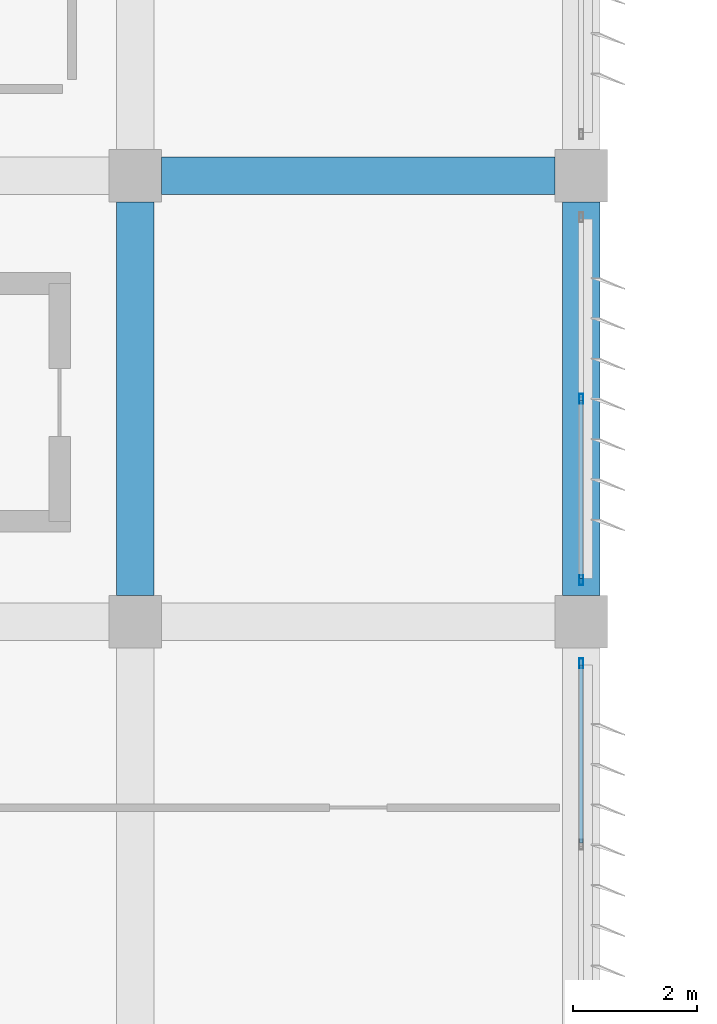
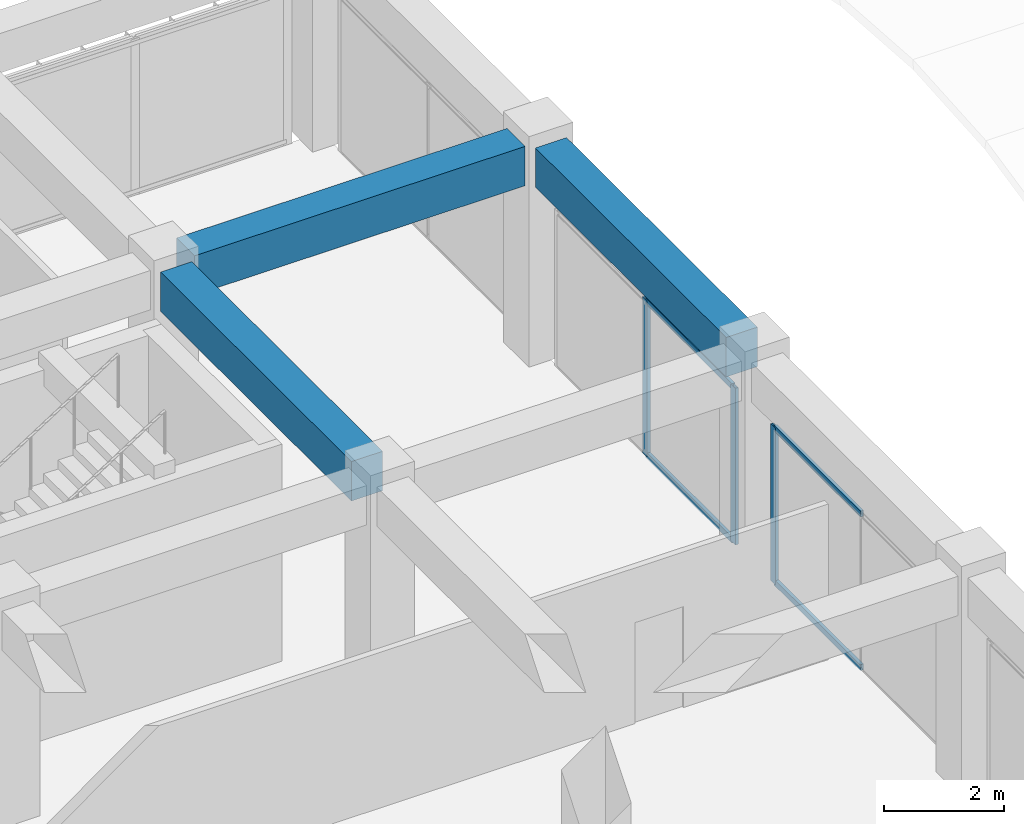
# One storey, part 19 of 55: 7 members, 3 beams, 2 elements without a shape of their own.
"""IFC4 building model written with IfcOpenShell, lengths in metres."""

from ifc_helpers import new_model, si_unit, direction, frame, origin, origin_2d, place, context, subcontext, project, spatial, rectangle, hollow_rectangle, extrude, material, material_profile, profile_set, type_object, element, aggregate, save


model = new_model("IFC4")

# Units and contexts
model_context = context("Model", 3, precision=1e-05, world=origin(), true_north=direction((0.0, 1.0)))
body_context = subcontext(model_context, "Body", "Model", "MODEL_VIEW")
ifc_project = project(units=[si_unit("LENGTHUNIT", "METRE"), si_unit("AREAUNIT", "SQUARE_METRE"), si_unit("VOLUMEUNIT", "CUBIC_METRE"), si_unit("PLANEANGLEUNIT", "RADIAN"), si_unit("MASSUNIT", "GRAM", prefix="KILO")], contexts=[model_context])

# Site, building, storey
site_placement = place(None, origin())
site = spatial("IfcSite", under=ifc_project, at=site_placement, CompositionType="ELEMENT")
building_placement = place(site_placement, origin())
building = spatial("IfcBuilding", under=site, at=building_placement, Name="Kazehaya Institute of Natural Sciences", CompositionType="ELEMENT")
storey_placement = place(building_placement, frame((0.0, 0.0, 15.1201171875)))
storey = spatial("IfcBuildingStorey", under=building, at=storey_placement, Name="L03", CompositionType="ELEMENT", Elevation=15.1201171875)

# Beams
ifc_material_1 = material(Name="Concrete Fc36", Category="concrete")
ifc_material_profile_1 = material_profile(ifc_material_1, rectangle(XDim=0.60009765625, YDim=0.800048828125, at=origin_2d()), Name="RC-600x800")
ifc_profile_set_1 = profile_set([ifc_material_profile_1], Name="Concrete Fc36")
beam_type = type_object("IfcBeamType", Name="BM-G-600x800", PredefinedType="BEAM", material=ifc_profile_set_1)
for number, where, z_axis, x_axis, name in (
    (1, (112.625, 28.39990234375, 4.009765625), (1.0, 0.0, 0.0), (0.0, 1.0, 0.0), "L03 primary X girder BMX-L03-1122-284"),
    (2, (112.199951171875, 21.625, 4.009765625), (0.0, 1.0, 0.0), (-1.0, 0.0, 0.0), "L03 primary Y girder BMY-L03-1122-212"),
    (3, (119.39990234375, 21.625, 4.009765625), (0.0, 1.0, 0.0), (-1.0, 0.0, 0.0), "L03 primary Y girder BMY-L03-1194-212"),
):
    element("IfcBeam", number, at=place(storey_placement, frame(where, z_axis=z_axis, x_axis=x_axis)), inside=storey, type_object=beam_type, Name=name, PredefinedType="BEAM", context=body_context, shape_type="SweptSolid", body=[
        extrude(rectangle(XDim=0.60009765625, YDim=0.800048828125, at=origin_2d()), origin(), (0.0, 0.0, 1.0), 6.35009765625),
    ])

# Curtain wall, member
ifc_material_2 = material(Name="Aluminium alloy A6063S-T5", Category="aluminium")
curtain_wall_type = type_object("IfcCurtainWallType", Name="CW-SYS-10", PredefinedType="NOTDEFINED", material=ifc_material_2)
curtain_wall_1_placement = place(storey_placement, origin())
curtain_wall_1 = element("IfcCurtainWall", 4, at=curtain_wall_1_placement, inside=storey, type_object=curtain_wall_type, Name="L03 unitised curtain wall CW-L03-071", PredefinedType="NOTDEFINED")
ifc_material_profile_2 = material_profile(ifc_material_2, hollow_rectangle(XDim=0.06005859375, YDim=0.159912109375, WallThickness=0.00390625, at=origin_2d()), Name="ALU-60x160x4")
ifc_profile_set_2 = profile_set([ifc_material_profile_2], Name="Aluminium alloy A6063S-T5")
member_type_1 = type_object("IfcMemberType", Name="CWM-160", PredefinedType="MULLION", material=ifc_profile_set_2)
member_1_placement = place(storey_placement, frame((119.39990234375, 20.530029296875, 0.0), z_axis=(0.0, 0.0, 1.0), x_axis=(1.0, 0.0, 0.0)))
member_1 = element("IfcMember", 5, at=member_1_placement, type_object=member_type_1, Name="CW10 mullion 1", PredefinedType="MULLION", context=body_context, shape_type="SweptSolid", body=[
    extrude(hollow_rectangle(XDim=0.06005859375, YDim=0.159912109375, WallThickness=0.00390625, at=origin_2d()), origin(), (0.0, 0.0, 1.0), 3.179931640625),
])

# Curtain wall, members
curtain_wall_2_placement = place(storey_placement, origin())
curtain_wall_2 = element("IfcCurtainWall", 6, at=curtain_wall_2_placement, inside=storey, type_object=curtain_wall_type, Name="L03 unitised curtain wall CW-L03-072", PredefinedType="NOTDEFINED")
member_2_placement = place(storey_placement, frame((119.39990234375, 24.800048828125, 0.0), z_axis=(0.0, 0.0, 1.0), x_axis=(1.0, 0.0, 0.0)))
member_2 = element("IfcMember", 7, at=member_2_placement, type_object=member_type_1, Name="CW10 mullion 2", PredefinedType="MULLION", context=body_context, shape_type="SweptSolid", body=[
    extrude(hollow_rectangle(XDim=0.06005859375, YDim=0.159912109375, WallThickness=0.00390625, at=origin_2d()), origin(), (0.0, 0.0, 1.0), 3.179931640625),
])
member_3_placement = place(storey_placement, frame((119.39990234375, 21.8701171875, 0.0), z_axis=(0.0, 0.0, 1.0), x_axis=(1.0, 0.0, 0.0)))
member_3 = element("IfcMember", 8, at=member_3_placement, type_object=member_type_1, Name="CW10 mullion 3", PredefinedType="MULLION", context=body_context, shape_type="SweptSolid", body=[
    extrude(hollow_rectangle(XDim=0.06005859375, YDim=0.159912109375, WallThickness=0.00390625, at=origin_2d()), origin(), (0.0, 0.0, 1.0), 3.179931640625),
])

# Member
ifc_material_profile_3 = material_profile(ifc_material_2, hollow_rectangle(XDim=0.06005859375, YDim=0.1201171875, WallThickness=0.00341796875, at=origin_2d()), Name="ALU-60x120x3.5")
ifc_profile_set_3 = profile_set([ifc_material_profile_3], Name="Aluminium alloy A6063S-T5")
member_type_2 = type_object("IfcMemberType", Name="CWT-120", PredefinedType="USERDEFINED", material=ifc_profile_set_3)
member_4_placement = place(storey_placement, frame((119.39990234375, 20.5, 0.02978515625), z_axis=(0.0, -1.0, 0.0), x_axis=(1.0, 0.0, 0.0)))
member_4 = element("IfcMember", 9, at=member_4_placement, type_object=member_type_2, Name="CW10 transom 1.1", ObjectType="TRANSOM", PredefinedType="USERDEFINED", context=body_context, shape_type="SweptSolid", body=[
    extrude(hollow_rectangle(XDim=0.06005859375, YDim=0.1201171875, WallThickness=0.00341796875, at=origin_2d()), origin(), (0.0, 0.0, 1.0), 2.8701171875),
])

member_5_placement = place(storey_placement, frame((119.39990234375, 20.5, 3.14990234375), z_axis=(0.0, -1.0, 0.0), x_axis=(1.0, 0.0, 0.0)))
member_5 = element("IfcMember", 10, at=member_5_placement, type_object=member_type_2, Name="CW10 transom 1.2", ObjectType="TRANSOM", PredefinedType="USERDEFINED", context=body_context, shape_type="SweptSolid", body=[
    extrude(hollow_rectangle(XDim=0.06005859375, YDim=0.1201171875, WallThickness=0.00341796875, at=origin_2d()), origin(), (0.0, 0.0, 1.0), 2.8701171875),
])

aggregate(curtain_wall_1, [member_1, member_4, member_5])

member_6_placement = place(storey_placement, frame((119.39990234375, 24.77001953125, 0.02978515625), z_axis=(0.0, -1.0, 0.0), x_axis=(1.0, 0.0, 0.0)))
member_6 = element("IfcMember", 11, at=member_6_placement, type_object=member_type_2, Name="CW10 transom 2.1", ObjectType="TRANSOM", PredefinedType="USERDEFINED", context=body_context, shape_type="SweptSolid", body=[
    extrude(hollow_rectangle(XDim=0.06005859375, YDim=0.1201171875, WallThickness=0.00341796875, at=origin_2d()), origin(), (0.0, 0.0, 1.0), 2.8701171875),
])

member_7_placement = place(storey_placement, frame((119.39990234375, 24.77001953125, 3.14990234375), z_axis=(0.0, -1.0, 0.0), x_axis=(1.0, 0.0, 0.0)))
member_7 = element("IfcMember", 12, at=member_7_placement, type_object=member_type_2, Name="CW10 transom 2.2", ObjectType="TRANSOM", PredefinedType="USERDEFINED", context=body_context, shape_type="SweptSolid", body=[
    extrude(hollow_rectangle(XDim=0.06005859375, YDim=0.1201171875, WallThickness=0.00341796875, at=origin_2d()), origin(), (0.0, 0.0, 1.0), 2.8701171875),
])

aggregate(curtain_wall_2, [member_2, member_3, member_6, member_7])

save(model, "model.ifc")
